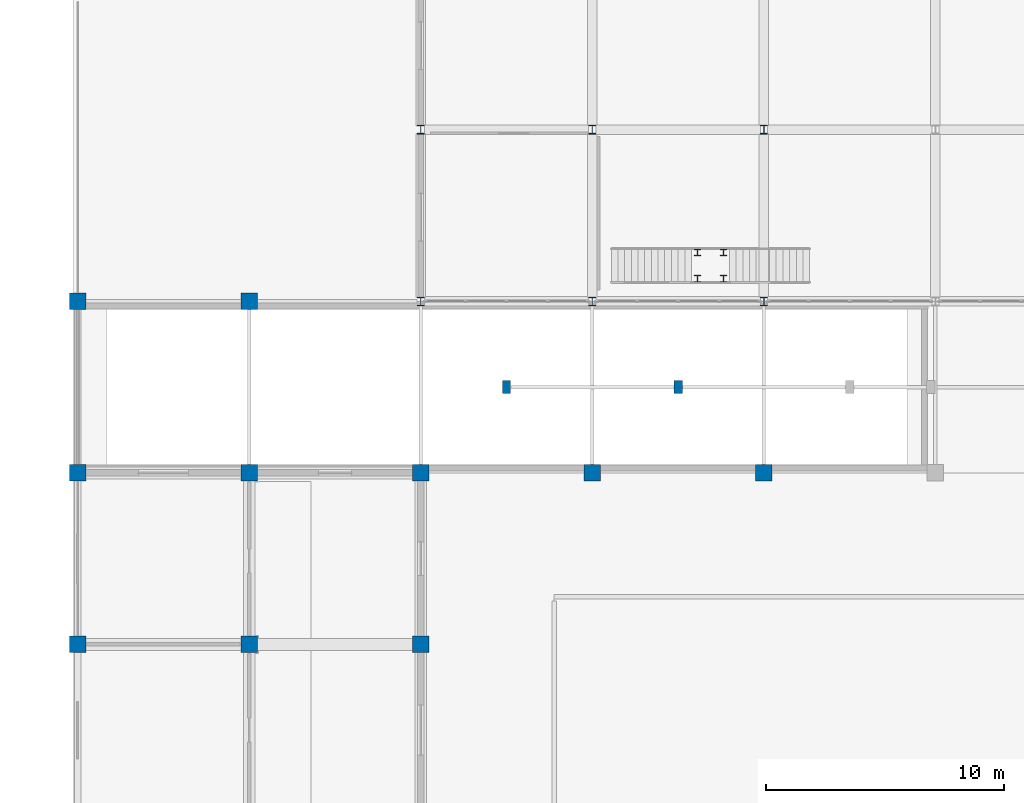
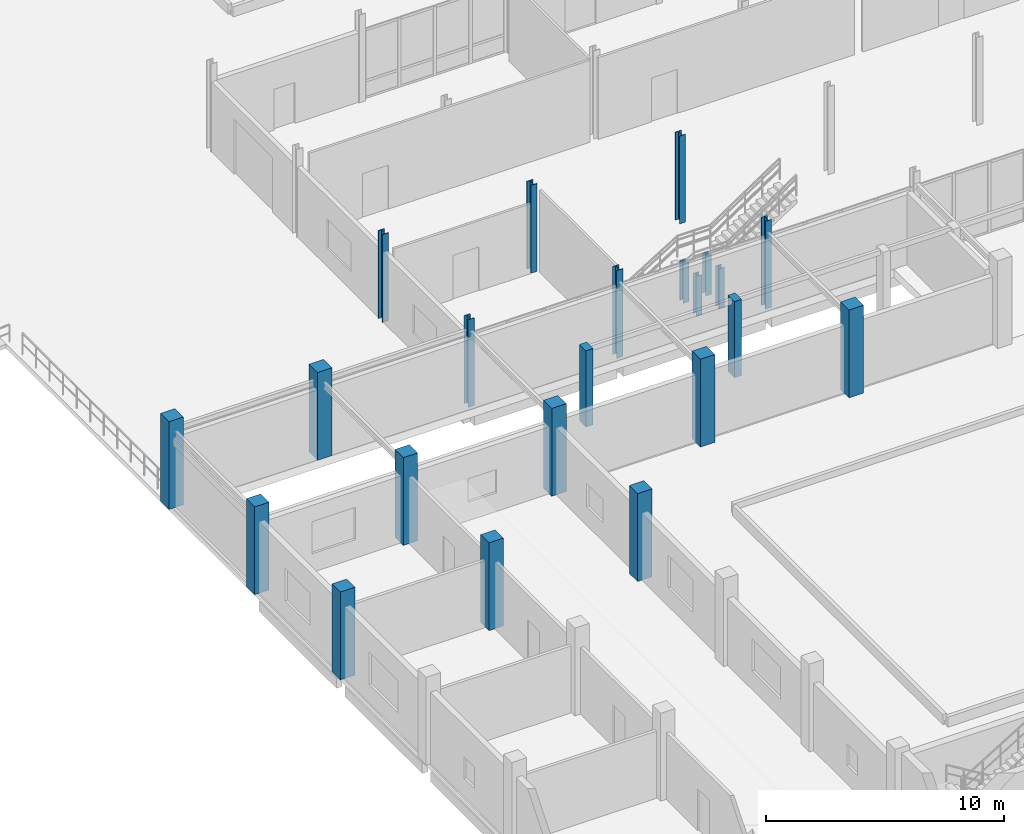
# One storey, part 3 of 139: 22 columns.
"""IFC4 building model written with IfcOpenShell, lengths in metres."""

from ifc_helpers import new_model, si_unit, direction, frame, origin, origin_2d, place, context, subcontext, project, spatial, rectangle, i_section, extrude, material, material_profile, profile_set, type_object, element, save


model = new_model("IFC4")

# Units and contexts
model_context = context("Model", 3, precision=1e-05, world=origin(), true_north=direction((0.0, 1.0)))
body_context = subcontext(model_context, "Body", "Model", "MODEL_VIEW")
ifc_project = project(units=[si_unit("LENGTHUNIT", "METRE"), si_unit("AREAUNIT", "SQUARE_METRE"), si_unit("VOLUMEUNIT", "CUBIC_METRE"), si_unit("PLANEANGLEUNIT", "RADIAN"), si_unit("MASSUNIT", "GRAM", prefix="KILO")], contexts=[model_context])

# Site, building, storey
site_placement = place(None, origin())
site = spatial("IfcSite", under=ifc_project, at=site_placement, CompositionType="ELEMENT")
building_placement = place(site_placement, origin())
building = spatial("IfcBuilding", under=site, at=building_placement, Name="Suanplinth Sawtooth Commons", CompositionType="ELEMENT")
storey_placement = place(building_placement, origin())
storey = spatial("IfcBuildingStorey", under=building, at=storey_placement, Name="L00", CompositionType="ELEMENT", Elevation=0.0)

# Columns
ifc_material_1 = material(Name="Concrete C40/50", Category="concrete")
ifc_material_profile_1 = material_profile(ifc_material_1, rectangle(XDim=0.699951171875, YDim=0.699951171875, at=origin_2d()), Name="RC-COL 700x700")
ifc_profile_set_1 = profile_set([ifc_material_profile_1], Name="Concrete C40/50")
column_type_1 = type_object("IfcColumnType", Name="C-02", PredefinedType="COLUMN", material=ifc_profile_set_1)
for number, where, z_axis, x_axis, name in (
    (1, (0.0, 36.0, 0.0), (0.0, 0.0, 1.0), (1.0, 0.0, 0.0), "Column L00 1/F"),
    (2, (0.0, 43.199951171875, 0.0), (0.0, 0.0, 1.0), (1.0, 0.0, 0.0), "Column L00 1/G"),
    (3, (0.0, 50.39990234375, 0.0), (0.0, 0.0, 1.0), (1.0, 0.0, 0.0), "Column L00 1/H"),
    (4, (7.199951171875, 36.0, 0.0), (0.0, 0.0, 1.0), (1.0, 0.0, 0.0), "Column L00 2/F"),
    (5, (7.199951171875, 43.199951171875, 0.0), (0.0, 0.0, 1.0), (1.0, 0.0, 0.0), "Column L00 2/G"),
    (6, (7.199951171875, 50.39990234375, 0.0), (0.0, 0.0, 1.0), (1.0, 0.0, 0.0), "Column L00 2/H"),
    (7, (14.39990234375, 36.0, 0.0), (0.0, 0.0, 1.0), (1.0, 0.0, 0.0), "Column L00 3/F"),
    (8, (14.39990234375, 43.199951171875, 0.0), (0.0, 0.0, 1.0), (1.0, 0.0, 0.0), "Column L00 3/G"),
    (9, (21.60009765625, 43.199951171875, 0.0), (0.0, 0.0, 1.0), (1.0, 0.0, 0.0), "Column L00 4/G"),
    (10, (28.800048828125, 43.199951171875, 0.0), (0.0, 0.0, 1.0), (1.0, 0.0, 0.0), "Column L00 5/G"),
):
    element("IfcColumn", number, at=place(storey_placement, frame(where, z_axis=z_axis, x_axis=x_axis)), inside=storey, type_object=column_type_1, Name=name, PredefinedType="COLUMN", context=body_context, shape_type="SweptSolid", body=[
        extrude(rectangle(XDim=0.699951171875, YDim=0.699951171875, at=origin_2d()), origin(), (0.0, 0.0, 1.0), 4.5),
    ])
ifc_material_2 = material(Name="Steel S355JR", Category="steel")
ifc_material_profile_2 = material_profile(ifc_material_2, i_section(OverallWidth=0.300048828125, OverallDepth=0.360107421875, WebThickness=0.012451171875, FlangeThickness=0.0224609375, at=origin_2d()), Name="HEB 360")
ifc_profile_set_2 = profile_set([ifc_material_profile_2], Name="Steel S355JR")
column_type_2 = type_object("IfcColumnType", Name="C-10", PredefinedType="COLUMN", material=ifc_profile_set_2)
for number, where, z_axis, x_axis, name in (
    (11, (14.39990234375, 50.39990234375, 0.0), (0.0, 0.0, 1.0), (1.0, 0.0, 0.0), "Column L00 3/H"),
    (12, (14.39990234375, 57.60009765625, 0.0), (0.0, 0.0, 1.0), (1.0, 0.0, 0.0), "Column L00 3/J"),
    (13, (21.60009765625, 50.39990234375, 0.0), (0.0, 0.0, 1.0), (1.0, 0.0, 0.0), "Column L00 4/H"),
    (14, (21.60009765625, 57.60009765625, 0.0), (0.0, 0.0, 1.0), (1.0, 0.0, 0.0), "Column L00 4/J"),
    (15, (28.800048828125, 50.39990234375, 0.0), (0.0, 0.0, 1.0), (1.0, 0.0, 0.0), "Column L00 5/H"),
    (16, (28.800048828125, 57.60009765625, 0.0), (0.0, 0.0, 1.0), (1.0, 0.0, 0.0), "Column L00 5/J"),
):
    element("IfcColumn", number, at=place(storey_placement, frame(where, z_axis=z_axis, x_axis=x_axis)), inside=storey, type_object=column_type_2, Name=name, PredefinedType="COLUMN", context=body_context, shape_type="SweptSolid", body=[
        extrude(i_section(OverallWidth=0.300048828125, OverallDepth=0.360107421875, WebThickness=0.012451171875, FlangeThickness=0.0224609375, at=origin_2d()), origin(), (0.0, 0.0, 1.0), 4.5),
    ])
ifc_material_profile_3 = material_profile(ifc_material_2, i_section(OverallWidth=0.280029296875, OverallDepth=0.280029296875, WebThickness=0.010498046875, FlangeThickness=0.01806640625, at=origin_2d()), Name="HEB 280")
ifc_profile_set_3 = profile_set([ifc_material_profile_3], Name="Steel S355JR")
column_type_3 = type_object("IfcColumnType", Name="C-11", PredefinedType="COLUMN", material=ifc_profile_set_3)
for number, where, z_axis, x_axis, name in (
    (17, (26.010009765625, 51.35009765625, 0.0), (0.0, 0.0, 1.0), (1.0, 0.0, 0.0), "West Market Mezzanine Stair Landing Post 1"),
    (18, (27.110107421875, 51.35009765625, 0.0), (0.0, 0.0, 1.0), (1.0, 0.0, 0.0), "West Market Mezzanine Stair Landing Post 2"),
    (19, (26.010009765625, 52.449951171875, 0.0), (0.0, 0.0, 1.0), (1.0, 0.0, 0.0), "West Market Mezzanine Stair Landing Post 3"),
    (20, (27.110107421875, 52.449951171875, 0.0), (0.0, 0.0, 1.0), (1.0, 0.0, 0.0), "West Market Mezzanine Stair Landing Post 4"),
):
    element("IfcColumn", number, at=place(storey_placement, frame(where, z_axis=z_axis, x_axis=x_axis)), inside=storey, type_object=column_type_3, Name=name, PredefinedType="COLUMN", context=body_context, shape_type="SweptSolid", body=[
        extrude(i_section(OverallWidth=0.280029296875, OverallDepth=0.280029296875, WebThickness=0.010498046875, FlangeThickness=0.01806640625, at=origin_2d()), origin(), (0.0, 0.0, 1.0), 2.050048828125),
    ])
ifc_material_3 = material(Name="Precast concrete C40/50", Category="concrete")
ifc_material_profile_4 = material_profile(ifc_material_3, rectangle(XDim=0.35009765625, YDim=0.550048828125, at=origin_2d()), Name="PC-PIL 350x550")
ifc_profile_set_4 = profile_set([ifc_material_profile_4], Name="Precast concrete C40/50")
column_type_4 = type_object("IfcColumnType", Name="C-13", PredefinedType="PILASTER", material=ifc_profile_set_4)
for number, where, z_axis, x_axis, name in (
    (21, (18.0, 46.800048828125, 0.0), (0.0, 0.0, 1.0), (1.0, 0.0, 0.0), "Veranda Colonnade Pilaster L00 P1"),
    (22, (25.199951171875, 46.800048828125, 0.0), (0.0, 0.0, 1.0), (1.0, 0.0, 0.0), "Veranda Colonnade Pilaster L00 P2"),
):
    element("IfcColumn", number, at=place(storey_placement, frame(where, z_axis=z_axis, x_axis=x_axis)), inside=storey, type_object=column_type_4, Name=name, PredefinedType="PILASTER", context=body_context, shape_type="SweptSolid", body=[
        extrude(rectangle(XDim=0.35009765625, YDim=0.550048828125, at=origin_2d()), origin(), (0.0, 0.0, 1.0), 3.89990234375),
    ])

save(model, "model.ifc")
